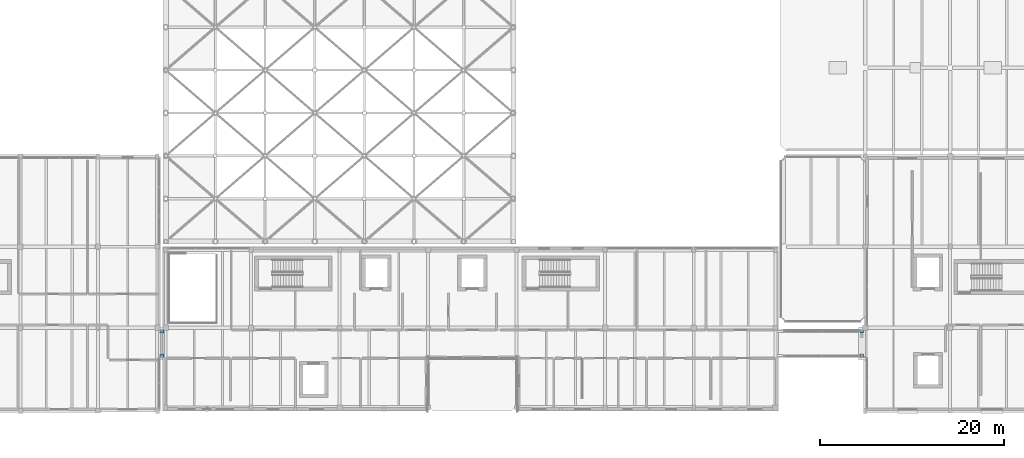
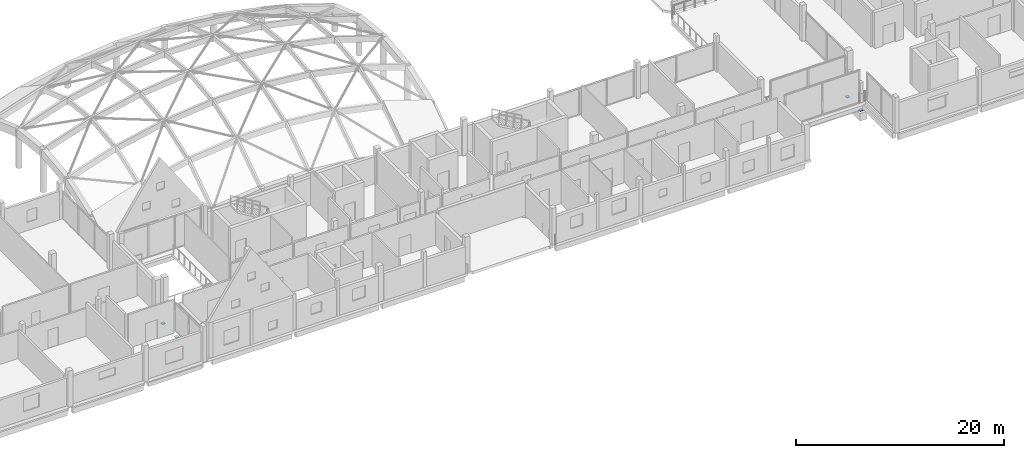
# One storey, part 31 of 41: 4 discrete accessories.
"""IFC4 building model written with IfcOpenShell, lengths in metres."""

from ifc_helpers import new_model, si_unit, direction, frame, origin, origin_2d, place, context, subcontext, project, spatial, rectangle, extrude, material, layer, layer_set, type_object, element, save


model = new_model("IFC4")

# Units and contexts
model_context = context("Model", 3, precision=1e-05, world=origin(), true_north=direction((0.0, 1.0)))
body_context = subcontext(model_context, "Body", "Model", "MODEL_VIEW")
ifc_project = project(units=[si_unit("LENGTHUNIT", "METRE"), si_unit("AREAUNIT", "SQUARE_METRE"), si_unit("VOLUMEUNIT", "CUBIC_METRE"), si_unit("PLANEANGLEUNIT", "RADIAN"), si_unit("MASSUNIT", "GRAM", prefix="KILO")], contexts=[model_context])

# Site, building, storey
site_placement = place(None, origin())
site = spatial("IfcSite", under=ifc_project, at=site_placement, CompositionType="ELEMENT")
building_placement = place(site_placement, origin())
building = spatial("IfcBuilding", under=site, at=building_placement, Name="Birchvale Park Specialist Clinic", CompositionType="ELEMENT")
storey_placement = place(building_placement, frame((0.0, 0.0, 9.60009765625)))
storey = spatial("IfcBuildingStorey", under=building, at=storey_placement, Name="L02", CompositionType="ELEMENT", Elevation=9.60009765625)

# Discrete accessories
ifc_material = material(Name="PTFE-elastomeric bearing assembly")
ifc_layer = layer(ifc_material, 0.080078125)
ifc_layer_set = layer_set([ifc_layer], Name="PTFE-elastomeric bearing assembly")
discrete_accessory_type = type_object("IfcDiscreteAccessoryType", Name="ACC-SB-1", PredefinedType="SHOE", material=ifc_layer_set)
for number, where, z_axis, x_axis, name in (
    (1, (51.77001953125, 22.800048828125, -1.05712890625), (0.0, 0.0, 1.0), (1.0, 0.0, 0.0), "PTFE-elastomeric sliding bearing SB-1 (BRG-1 L02 #1)"),
    (2, (51.77001953125, 25.39990234375, -1.05712890625), (0.0, 0.0, 1.0), (1.0, 0.0, 0.0), "PTFE-elastomeric sliding bearing SB-1 (BRG-1 L02 #2)"),
    (3, (127.6201171875, 22.800048828125, -1.05712890625), (0.0, 0.0, 1.0), (1.0, 0.0, 0.0), "PTFE-elastomeric sliding bearing SB-1 (BRG-3 L02 #1)"),
    (4, (127.6201171875, 25.39990234375, -1.05712890625), (0.0, 0.0, 1.0), (1.0, 0.0, 0.0), "PTFE-elastomeric sliding bearing SB-1 (BRG-3 L02 #2)"),
):
    element("IfcDiscreteAccessory", number, at=place(storey_placement, frame(where, z_axis=z_axis, x_axis=x_axis)), inside=storey, type_object=discrete_accessory_type, Name=name, PredefinedType="SHOE", context=body_context, shape_type="SweptSolid", body=[
        extrude(rectangle(XDim=0.360107421875, YDim=0.360107421875, at=origin_2d()), origin(), (0.0, 0.0, 1.0), 0.080078125),
    ])

save(model, "model.ifc")
